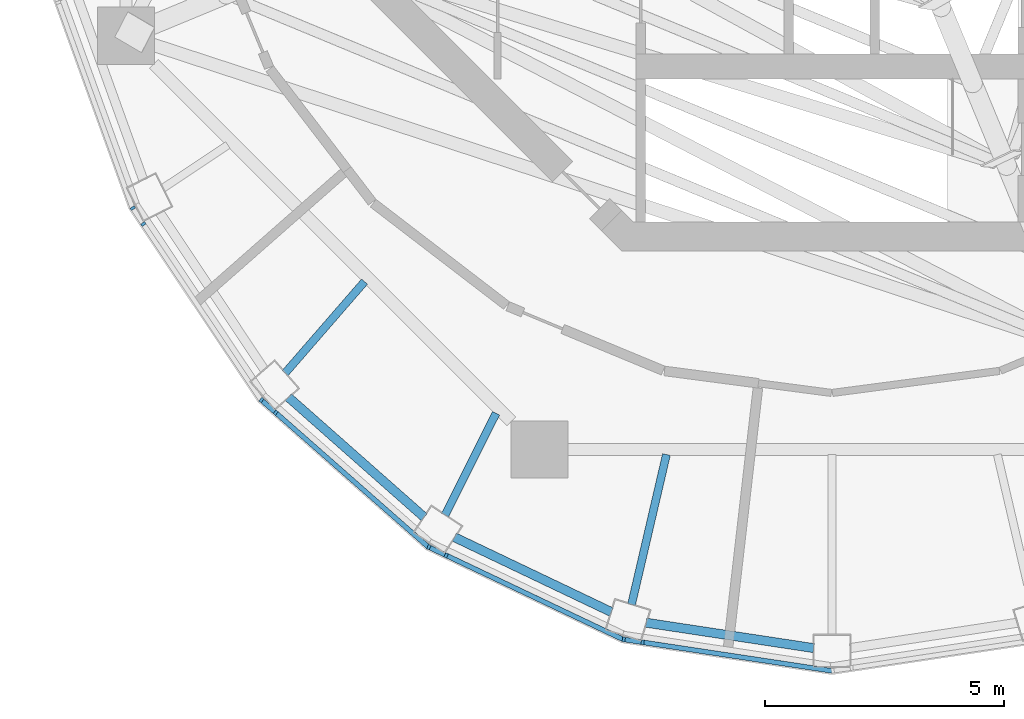
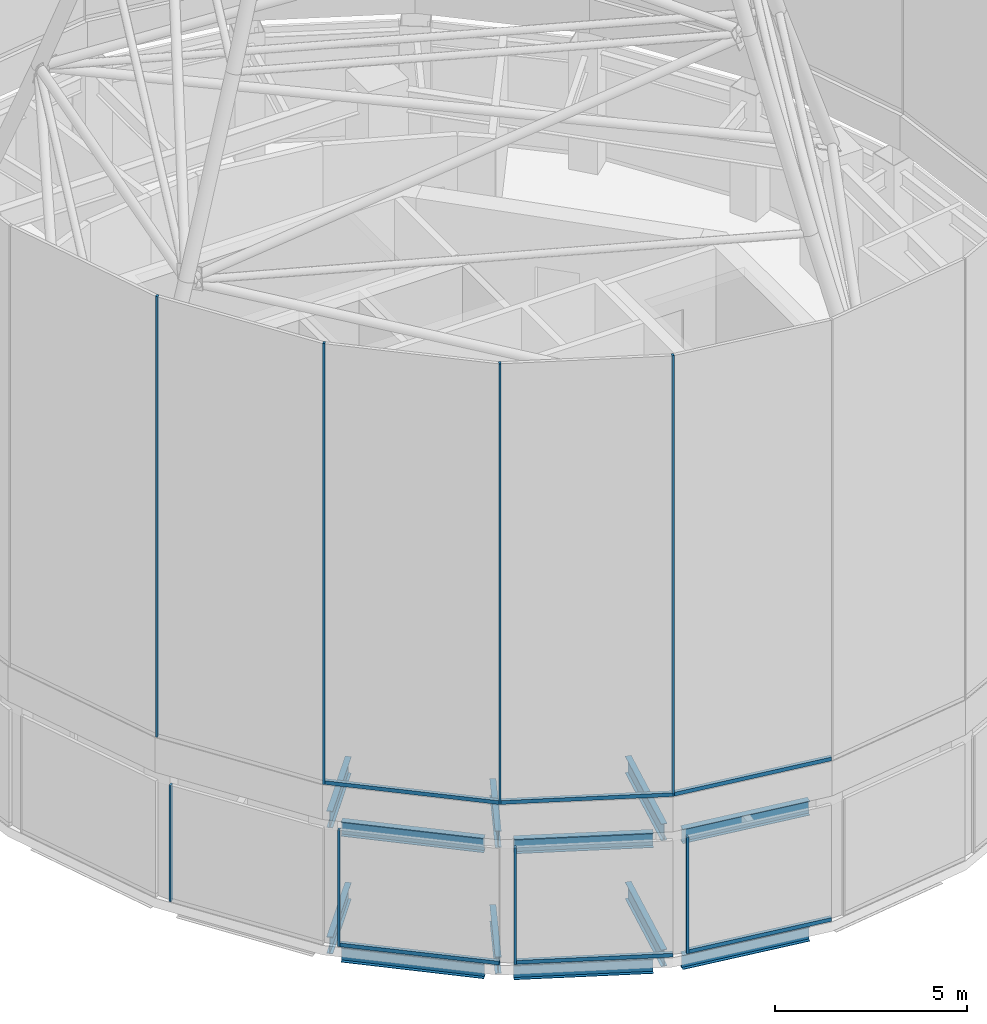
# One storey, part 2 of 25: 14 members, 12 beams, 8 elements without a shape of their own.
"""IFC4 building model written with IfcOpenShell, lengths in metres."""

from ifc_helpers import new_model, si_unit, direction, frame, origin, origin_2d, place, context, subcontext, project, spatial, rectangle, i_section, extrude, material, layer, layer_set, material_profile, profile_set, type_object, element, aggregate, save


model = new_model("IFC4")

# Units and contexts
model_context = context("Model", 3, precision=1e-05, world=origin(), true_north=direction((0.0, 1.0)))
body_context = subcontext(model_context, "Body", "Model", "MODEL_VIEW")
ifc_project = project(units=[si_unit("LENGTHUNIT", "METRE"), si_unit("AREAUNIT", "SQUARE_METRE"), si_unit("VOLUMEUNIT", "CUBIC_METRE"), si_unit("PLANEANGLEUNIT", "RADIAN"), si_unit("MASSUNIT", "GRAM", prefix="KILO")], contexts=[model_context])

# Site, building, storey
site_placement = place(None, origin())
site = spatial("IfcSite", under=ifc_project, at=site_placement, CompositionType="ELEMENT")
building_placement = place(site_placement, origin())
building = spatial("IfcBuilding", under=site, at=building_placement, Name="Nagisa Residences", CompositionType="ELEMENT")
storey_placement = place(building_placement, frame((0.0, 0.0, 340.89990234375)))
storey = spatial("IfcBuildingStorey", under=building, at=storey_placement, Name="L84", CompositionType="ELEMENT", Elevation=340.89990234375)

# Curtain wall, member
ifc_material_1 = material(Name="Aluminium curtain wall system", Category="aluminium")
ifc_layer = layer(ifc_material_1, 0.159912109375)
ifc_layer_set = layer_set([ifc_layer], Name="CW5 CURTAIN WALL")
curtain_wall_type = type_object("IfcCurtainWallType", Name="CW5 CURTAIN WALL", PredefinedType="NOTDEFINED", material=ifc_layer_set)
curtain_wall_1_placement = place(storey_placement, origin())
curtain_wall_1 = element("IfcCurtainWall", 1, at=curtain_wall_1_placement, inside=storey, type_object=curtain_wall_type, Name="cw:CW5:L84:14", PredefinedType="NOTDEFINED")
ifc_material_2 = material(Name="Aluminium", Category="aluminium")
ifc_material_profile_1 = material_profile(ifc_material_2, rectangle(XDim=0.10009765625, YDim=0.06005859375, at=origin_2d()), Name="CW5 MULLION 100x60")
ifc_profile_set_1 = profile_set([ifc_material_profile_1], Name="Aluminium")
member_type_1 = type_object("IfcMemberType", Name="CW5 MULLION 100x60", PredefinedType="MULLION", material=ifc_profile_set_1)
member_1_placement = place(storey_placement, frame((-14.416748046875, -10.06298828125, 0.0), z_axis=(0.0, 0.0, 1.0), x_axis=(0.831172662415, 0.556014393027, 0.0)))
member_1 = element("IfcMember", 2, at=member_1_placement, type_object=member_type_1, Name="CW5 mullion", PredefinedType="MULLION", context=body_context, shape_type="SweptSolid", body=[
    extrude(rectangle(XDim=0.10009765625, YDim=0.06005859375, at=origin_2d()), origin(), (0.0, 0.0, 1.0), 3.7001953125),
])
aggregate(curtain_wall_1, [member_1])

curtain_wall_2_placement = place(storey_placement, origin())
curtain_wall_2 = element("IfcCurtainWall", 3, at=curtain_wall_2_placement, inside=storey, type_object=curtain_wall_type, Name="cw:CW5:L84:15", PredefinedType="NOTDEFINED")
member_2_placement = place(storey_placement, frame((-11.645263671875, -14.0126953125, 0.0), z_axis=(0.0, 0.0, 1.0), x_axis=(0.660699467703, 0.750650526795, 0.0)))
member_2 = element("IfcMember", 4, at=member_2_placement, type_object=member_type_1, Name="CW5 mullion", PredefinedType="MULLION", context=body_context, shape_type="SweptSolid", body=[
    extrude(rectangle(XDim=0.10009765625, YDim=0.06005859375, at=origin_2d()), origin(), (0.0, 0.0, 1.0), 3.7001953125),
])

curtain_wall_3_placement = place(storey_placement, origin())
curtain_wall_3 = element("IfcCurtainWall", 5, at=curtain_wall_3_placement, inside=storey, type_object=curtain_wall_type, Name="cw:CW5:L84:16", PredefinedType="NOTDEFINED")
member_3_placement = place(storey_placement, frame((-8.077392578125, -16.999755859375, 0.0), z_axis=(0.0, 0.0, 1.0), x_axis=(0.429150642757, 0.903232929992, 0.0)))
member_3 = element("IfcMember", 6, at=member_3_placement, type_object=member_type_1, Name="CW5 mullion", PredefinedType="MULLION", context=body_context, shape_type="SweptSolid", body=[
    extrude(rectangle(XDim=0.10009765625, YDim=0.06005859375, at=origin_2d()), origin(), (0.0, 0.0, 1.0), 3.7001953125),
])

curtain_wall_4_placement = place(storey_placement, origin())
curtain_wall_4 = element("IfcCurtainWall", 7, at=curtain_wall_4_placement, inside=storey, type_object=curtain_wall_type, Name="cw:CW5:L84:17", PredefinedType="NOTDEFINED")
member_4_placement = place(storey_placement, frame((-3.962890625, -18.820556640625, 0.0), z_axis=(0.0, 0.0, 1.0), x_axis=(0.149320135997, 0.988788904158, 0.0)))
member_4 = element("IfcMember", 8, at=member_4_placement, type_object=member_type_1, Name="CW5 mullion", PredefinedType="MULLION", context=body_context, shape_type="SweptSolid", body=[
    extrude(rectangle(XDim=0.10009765625, YDim=0.06005859375, at=origin_2d()), origin(), (0.0, 0.0, 1.0), 3.7001953125),
])

curtain_wall_5_placement = place(storey_placement, origin())
curtain_wall_5 = element("IfcCurtainWall", 9, at=curtain_wall_5_placement, inside=storey, type_object=curtain_wall_type, Name="cw:CW5:L84:top0:14", PredefinedType="NOTDEFINED")
member_5_placement = place(storey_placement, frame((-14.63916015625, -9.73046875, 5.10009765625), z_axis=(0.0, 0.0, 1.0), x_axis=(0.831172662415, 0.556014393027, 0.0)))
member_5 = element("IfcMember", 10, at=member_5_placement, type_object=member_type_1, Name="CW5 mullion", PredefinedType="MULLION", context=body_context, shape_type="SweptSolid", body=[
    extrude(rectangle(XDim=0.10009765625, YDim=0.06005859375, at=origin_2d()), origin(), (0.0, 0.0, 1.0), 14.0),
])
aggregate(curtain_wall_5, [member_5])

curtain_wall_6_placement = place(storey_placement, origin())
curtain_wall_6 = element("IfcCurtainWall", 11, at=curtain_wall_6_placement, inside=storey, type_object=curtain_wall_type, Name="cw:CW5:L84:top0:15", PredefinedType="NOTDEFINED")
member_6_placement = place(storey_placement, frame((-11.945556640625, -13.748291015625, 5.10009765625), z_axis=(0.0, 0.0, 1.0), x_axis=(0.660699467703, 0.750650526795, 0.0)))
member_6 = element("IfcMember", 12, at=member_6_placement, type_object=member_type_1, Name="CW5 mullion", PredefinedType="MULLION", context=body_context, shape_type="SweptSolid", body=[
    extrude(rectangle(XDim=0.10009765625, YDim=0.06005859375, at=origin_2d()), origin(), (0.0, 0.0, 1.0), 14.0),
])

curtain_wall_7_placement = place(storey_placement, origin())
curtain_wall_7 = element("IfcCurtainWall", 13, at=curtain_wall_7_placement, inside=storey, type_object=curtain_wall_type, Name="cw:CW5:L84:top0:16", PredefinedType="NOTDEFINED")
member_7_placement = place(storey_placement, frame((-8.4384765625, -16.828125, 5.10009765625), z_axis=(0.0, 0.0, 1.0), x_axis=(0.429150642757, 0.903232929992, 0.0)))
member_7 = element("IfcMember", 14, at=member_7_placement, type_object=member_type_1, Name="CW5 mullion", PredefinedType="MULLION", context=body_context, shape_type="SweptSolid", body=[
    extrude(rectangle(XDim=0.10009765625, YDim=0.06005859375, at=origin_2d()), origin(), (0.0, 0.0, 1.0), 14.0),
])

curtain_wall_8_placement = place(storey_placement, origin())
curtain_wall_8 = element("IfcCurtainWall", 15, at=curtain_wall_8_placement, inside=storey, type_object=curtain_wall_type, Name="cw:CW5:L84:top0:17", PredefinedType="NOTDEFINED")
member_8_placement = place(storey_placement, frame((-4.3583984375, -18.760986328125, 5.10009765625), z_axis=(0.0, 0.0, 1.0), x_axis=(0.149320135997, 0.988788904158, 0.0)))
member_8 = element("IfcMember", 16, at=member_8_placement, type_object=member_type_1, Name="CW5 mullion", PredefinedType="MULLION", context=body_context, shape_type="SweptSolid", body=[
    extrude(rectangle(XDim=0.10009765625, YDim=0.06005859375, at=origin_2d()), origin(), (0.0, 0.0, 1.0), 14.0),
])

# Member
ifc_material_3 = material(Name="Aluminium", Category="aluminium")
ifc_material_profile_2 = material_profile(ifc_material_3, rectangle(XDim=0.10009765625, YDim=0.1201171875, at=origin_2d()), Name="CW5 TRANSOM 100x120")
ifc_profile_set_2 = profile_set([ifc_material_profile_2], Name="Aluminium")
member_type_2 = type_object("IfcMemberType", Name="CW5 TRANSOM 100x120", PredefinedType="USERDEFINED", material=ifc_profile_set_2)
member_9_placement = place(storey_placement, frame((-11.667724609375, -13.992919921875, 0.06005859375), z_axis=(0.750659327094, -0.660689469151, 0.0), x_axis=(0.660689469151, 0.750659327094, 0.0)))
member_9 = element("IfcMember", 17, at=member_9_placement, type_object=member_type_2, Name="CW5 transom", ObjectType="TRANSOM", PredefinedType="USERDEFINED", context=body_context, shape_type="SweptSolid", body=[
    extrude(rectangle(XDim=0.10009765625, YDim=0.1201171875, at=origin_2d()), origin(), (0.0, 0.0, 1.0), 4.290283203125),
])

aggregate(curtain_wall_2, [member_2, member_9])

member_10_placement = place(storey_placement, frame((-8.1044921875, -16.98681640625, 0.06005859375), z_axis=(0.903246073132, -0.429122979309, 0.0), x_axis=(0.429122979309, 0.903246073132, 0.0)))
member_10 = element("IfcMember", 18, at=member_10_placement, type_object=member_type_2, Name="CW5 transom", ObjectType="TRANSOM", PredefinedType="USERDEFINED", context=body_context, shape_type="SweptSolid", body=[
    extrude(rectangle(XDim=0.10009765625, YDim=0.1201171875, at=origin_2d()), origin(), (0.0, 0.0, 1.0), 4.1396484375),
])

aggregate(curtain_wall_3, [member_3, member_10])

member_11_placement = place(storey_placement, frame((-3.992431640625, -18.816162109375, 0.06005859375), z_axis=(0.988788172803, -0.149324978907, 0.0), x_axis=(0.149324978907, 0.988788172803, 0.0)))
member_11 = element("IfcMember", 19, at=member_11_placement, type_object=member_type_2, Name="CW5 transom", ObjectType="TRANSOM", PredefinedType="USERDEFINED", context=body_context, shape_type="SweptSolid", body=[
    extrude(rectangle(XDim=0.10009765625, YDim=0.1201171875, at=origin_2d()), origin(), (0.0, 0.0, 1.0), 4.0498046875),
])

aggregate(curtain_wall_4, [member_4, member_11])

member_12_placement = place(storey_placement, frame((-11.968017578125, -13.728515625, 5.16015625), z_axis=(0.750648459448, -0.660701816502, 0.0), x_axis=(0.660701816502, 0.750648459448, 0.0)))
member_12 = element("IfcMember", 20, at=member_12_placement, type_object=member_type_2, Name="CW5 transom", ObjectType="TRANSOM", PredefinedType="USERDEFINED", context=body_context, shape_type="SweptSolid", body=[
    extrude(rectangle(XDim=0.10009765625, YDim=0.1201171875, at=origin_2d()), origin(), (0.0, 0.0, 1.0), 4.690185546875),
])

aggregate(curtain_wall_6, [member_6, member_12])

member_13_placement = place(storey_placement, frame((-8.465576171875, -16.815185546875, 5.16015625), z_axis=(0.903238939001, -0.429137995373, 0.0), x_axis=(0.429137995373, 0.903238939001, 0.0)))
member_13 = element("IfcMember", 21, at=member_13_placement, type_object=member_type_2, Name="CW5 transom", ObjectType="TRANSOM", PredefinedType="USERDEFINED", context=body_context, shape_type="SweptSolid", body=[
    extrude(rectangle(XDim=0.10009765625, YDim=0.1201171875, at=origin_2d()), origin(), (0.0, 0.0, 1.0), 4.539306640625),
])

aggregate(curtain_wall_7, [member_7, member_13])

member_14_placement = place(storey_placement, frame((-4.387939453125, -18.75634765625, 5.16015625), z_axis=(0.988785332706, -0.149343784021, 0.0), x_axis=(0.149343784021, 0.988785332706, 0.0)))
member_14 = element("IfcMember", 22, at=member_14_placement, type_object=member_type_2, Name="CW5 transom", ObjectType="TRANSOM", PredefinedType="USERDEFINED", context=body_context, shape_type="SweptSolid", body=[
    extrude(rectangle(XDim=0.10009765625, YDim=0.1201171875, at=origin_2d()), origin(), (0.0, 0.0, 1.0), 4.44970703125),
])

aggregate(curtain_wall_8, [member_8, member_14])

# Beams
ifc_material_4 = material(Name="Steel ASTM A572 Gr 50", Category="steel")
ifc_material_profile_3 = material_profile(ifc_material_4, i_section(OverallWidth=0.18994140625, OverallDepth=0.45703125, WebThickness=0.009033203125, FlangeThickness=0.014404296875, at=origin_2d()), Name="W460x74")
ifc_profile_set_3 = profile_set([ifc_material_profile_3], Name="Steel ASTM A572 Gr 50")
beam_type_1 = type_object("IfcBeamType", Name="Perimeter ring beam W460x74", PredefinedType="BEAM", material=ifc_profile_set_3)
beam_1_placement = place(storey_placement, frame((-11.3798828125, -13.68896484375, -0.5283203125), z_axis=(0.749401876552, -0.662115418503, 0.0), x_axis=(0.662115418503, 0.749401876552, 0.0)))
element("IfcBeam", 23, at=beam_1_placement, inside=storey, type_object=beam_type_1, Name="beam:L84:pb16", PredefinedType="BEAM", context=body_context, shape_type="SweptSolid", body=[
    extrude(i_section(OverallWidth=0.18994140625, OverallDepth=0.45703125, WebThickness=0.009033203125, FlangeThickness=0.014404296875, at=origin_2d()), origin(), (0.0, 0.0, 1.0), 3.792724609375),
])
beam_2_placement = place(storey_placement, frame((-7.903564453125, -16.619873046875, -0.5283203125), z_axis=(0.902613702305, -0.430451512266, 0.0), x_axis=(0.430451512266, 0.902613702305, 0.0)))
element("IfcBeam", 24, at=beam_2_placement, inside=storey, type_object=beam_type_1, Name="beam:L84:pb17", PredefinedType="BEAM", context=body_context, shape_type="SweptSolid", body=[
    extrude(i_section(OverallWidth=0.18994140625, OverallDepth=0.45703125, WebThickness=0.009033203125, FlangeThickness=0.014404296875, at=origin_2d()), origin(), (0.0, 0.0, 1.0), 3.640625),
])
beam_3_placement = place(storey_placement, frame((-3.890380859375, -18.41015625, -0.5283203125), z_axis=(0.988700067025, -0.149907229525, 0.0), x_axis=(0.149907229525, 0.988700067025, 0.0)))
element("IfcBeam", 25, at=beam_3_placement, inside=storey, type_object=beam_type_1, Name="beam:L84:pb18", PredefinedType="BEAM", context=body_context, shape_type="SweptSolid", body=[
    extrude(i_section(OverallWidth=0.18994140625, OverallDepth=0.45703125, WebThickness=0.009033203125, FlangeThickness=0.014404296875, at=origin_2d()), origin(), (0.0, 0.0, 1.0), 3.55029296875),
])
beam_4_placement = place(storey_placement, frame((-11.3798828125, -13.68896484375, 3.4716796875), z_axis=(0.749401876552, -0.662115418503, 0.0), x_axis=(0.662115418503, 0.749401876552, 0.0)))
element("IfcBeam", 26, at=beam_4_placement, inside=storey, type_object=beam_type_1, Name="beam:L84:rpb16", PredefinedType="BEAM", context=body_context, shape_type="SweptSolid", body=[
    extrude(i_section(OverallWidth=0.18994140625, OverallDepth=0.45703125, WebThickness=0.009033203125, FlangeThickness=0.014404296875, at=origin_2d()), origin(), (0.0, 0.0, 1.0), 3.792724609375),
])
beam_5_placement = place(storey_placement, frame((-7.903564453125, -16.619873046875, 3.4716796875), z_axis=(0.902613702305, -0.430451512266, 0.0), x_axis=(0.430451512266, 0.902613702305, 0.0)))
element("IfcBeam", 27, at=beam_5_placement, inside=storey, type_object=beam_type_1, Name="beam:L84:rpb17", PredefinedType="BEAM", context=body_context, shape_type="SweptSolid", body=[
    extrude(i_section(OverallWidth=0.18994140625, OverallDepth=0.45703125, WebThickness=0.009033203125, FlangeThickness=0.014404296875, at=origin_2d()), origin(), (0.0, 0.0, 1.0), 3.640625),
])
beam_6_placement = place(storey_placement, frame((-3.890380859375, -18.41015625, 3.4716796875), z_axis=(0.988700067025, -0.149907229525, 0.0), x_axis=(0.149907229525, 0.988700067025, 0.0)))
element("IfcBeam", 28, at=beam_6_placement, inside=storey, type_object=beam_type_1, Name="beam:L84:rpb18", PredefinedType="BEAM", context=body_context, shape_type="SweptSolid", body=[
    extrude(i_section(OverallWidth=0.18994140625, OverallDepth=0.45703125, WebThickness=0.009033203125, FlangeThickness=0.014404296875, at=origin_2d()), origin(), (0.0, 0.0, 1.0), 3.55029296875),
])
ifc_material_5 = material(Name="Steel ASTM A572 Gr 50", Category="steel")
ifc_material_profile_4 = material_profile(ifc_material_5, i_section(OverallWidth=0.166015625, OverallDepth=0.534912109375, WebThickness=0.01025390625, FlangeThickness=0.0166015625, at=origin_2d()), Name="W530x85")
ifc_profile_set_4 = profile_set([ifc_material_profile_4], Name="Steel ASTM A572 Gr 50")
beam_type_2 = type_object("IfcBeamType", Name="Radial beam W530x85", PredefinedType="BEAM", material=ifc_profile_set_4)
beam_7_placement = place(storey_placement, frame((-11.44873046875, -13.183349609375, -0.5673828125), z_axis=(0.655718438616, 0.755005516045, 0.0), x_axis=(-0.755005516045, 0.655718438616, 0.0)))
element("IfcBeam", 29, at=beam_7_placement, inside=storey, type_object=beam_type_2, Name="beam:L84:rb16", PredefinedType="BEAM", context=body_context, shape_type="SweptSolid", body=[
    extrude(i_section(OverallWidth=0.166015625, OverallDepth=0.534912109375, WebThickness=0.01025390625, FlangeThickness=0.0166015625, at=origin_2d()), origin(), (0.0, 0.0, 1.0), 2.53515625),
])
beam_8_placement = place(storey_placement, frame((-8.10107421875, -16.1572265625, -0.5673828125), z_axis=(0.448236908276, 0.893914802461, 0.0), x_axis=(-0.893914802461, 0.448236908276, 0.0)))
element("IfcBeam", 30, at=beam_8_placement, inside=storey, type_object=beam_type_2, Name="beam:L84:rb17", PredefinedType="BEAM", context=body_context, shape_type="SweptSolid", body=[
    extrude(i_section(OverallWidth=0.166015625, OverallDepth=0.534912109375, WebThickness=0.01025390625, FlangeThickness=0.0166015625, at=origin_2d()), origin(), (0.0, 0.0, 1.0), 2.385009765625),
])
beam_9_placement = place(storey_placement, frame((-4.195556640625, -18.0302734375, -0.5673828125), z_axis=(0.226650446588, 0.973976167604, 0.0), x_axis=(-0.973976167604, 0.226650446588, 0.0)))
element("IfcBeam", 31, at=beam_9_placement, inside=storey, type_object=beam_type_2, Name="beam:L84:rb18", PredefinedType="BEAM", context=body_context, shape_type="SweptSolid", body=[
    extrude(i_section(OverallWidth=0.166015625, OverallDepth=0.534912109375, WebThickness=0.01025390625, FlangeThickness=0.0166015625, at=origin_2d()), origin(), (0.0, 0.0, 1.0), 3.22509765625),
])
beam_10_placement = place(storey_placement, frame((-11.44873046875, -13.183349609375, 3.4326171875), z_axis=(0.655718438616, 0.755005516045, 0.0), x_axis=(-0.755005516045, 0.655718438616, 0.0)))
element("IfcBeam", 32, at=beam_10_placement, inside=storey, type_object=beam_type_2, Name="beam:L84:rrb16", PredefinedType="BEAM", context=body_context, shape_type="SweptSolid", body=[
    extrude(i_section(OverallWidth=0.166015625, OverallDepth=0.534912109375, WebThickness=0.01025390625, FlangeThickness=0.0166015625, at=origin_2d()), origin(), (0.0, 0.0, 1.0), 2.53515625),
])
beam_11_placement = place(storey_placement, frame((-8.10107421875, -16.1572265625, 3.4326171875), z_axis=(0.448236908276, 0.893914802461, 0.0), x_axis=(-0.893914802461, 0.448236908276, 0.0)))
element("IfcBeam", 33, at=beam_11_placement, inside=storey, type_object=beam_type_2, Name="beam:L84:rrb17", PredefinedType="BEAM", context=body_context, shape_type="SweptSolid", body=[
    extrude(i_section(OverallWidth=0.166015625, OverallDepth=0.534912109375, WebThickness=0.01025390625, FlangeThickness=0.0166015625, at=origin_2d()), origin(), (0.0, 0.0, 1.0), 2.385009765625),
])
beam_12_placement = place(storey_placement, frame((-4.195556640625, -18.0302734375, 3.4326171875), z_axis=(0.226650446588, 0.973976167604, 0.0), x_axis=(-0.973976167604, 0.226650446588, 0.0)))
element("IfcBeam", 34, at=beam_12_placement, inside=storey, type_object=beam_type_2, Name="beam:L84:rrb18", PredefinedType="BEAM", context=body_context, shape_type="SweptSolid", body=[
    extrude(i_section(OverallWidth=0.166015625, OverallDepth=0.534912109375, WebThickness=0.01025390625, FlangeThickness=0.0166015625, at=origin_2d()), origin(), (0.0, 0.0, 1.0), 3.22509765625),
])

save(model, "model.ifc")
